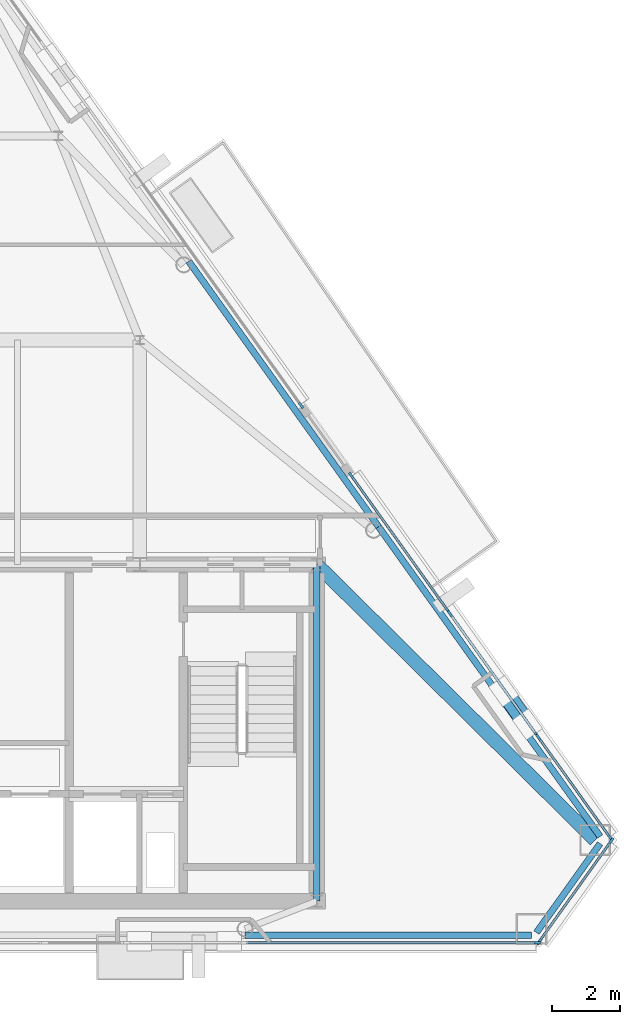
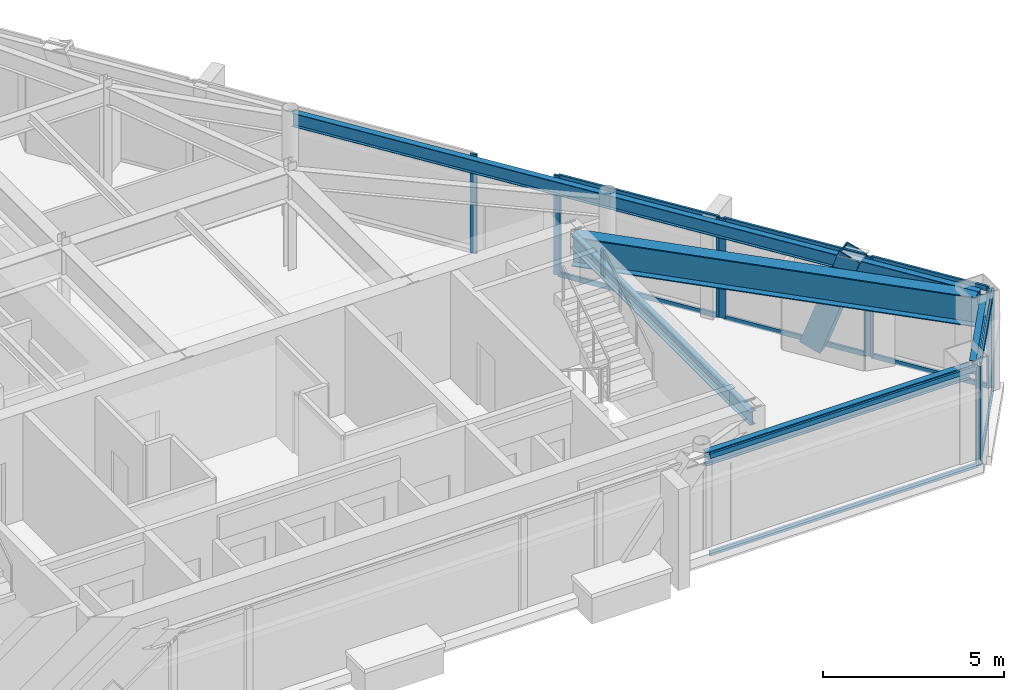
# One storey, part 6 of 12: 21 members, 6 beams, 6 elements without a shape of their own.
"""IFC4 building model written with IfcOpenShell, lengths in metres."""

from ifc_helpers import new_model, si_unit, direction, frame, origin, origin_2d, place, context, subcontext, project, spatial, rectangle, hollow_rectangle, i_section, extrude, material, layer, layer_set, material_profile, profile_set, type_object, element, aggregate, save


model = new_model("IFC4")

# Units and contexts
model_context = context("Model", 3, precision=1e-05, world=origin(), true_north=direction((0.0, 1.0)))
body_context = subcontext(model_context, "Body", "Model", "MODEL_VIEW")
ifc_project = project(units=[si_unit("LENGTHUNIT", "METRE"), si_unit("AREAUNIT", "SQUARE_METRE"), si_unit("VOLUMEUNIT", "CUBIC_METRE"), si_unit("PLANEANGLEUNIT", "RADIAN"), si_unit("MASSUNIT", "GRAM", prefix="KILO")], contexts=[model_context])

# Site, building, storey
site_placement = place(None, origin())
site = spatial("IfcSite", under=ifc_project, at=site_placement, CompositionType="ELEMENT")
building_placement = place(site_placement, origin())
building = spatial("IfcBuilding", under=site, at=building_placement, Name="Talgorran Terracotta Tower", CompositionType="ELEMENT")
storey_placement = place(building_placement, frame((0.0, 0.0, 270.60009765625)))
storey = spatial("IfcBuildingStorey", under=building, at=storey_placement, Name="L71", CompositionType="ELEMENT", Elevation=270.60009765625)

# Beams
ifc_material_1 = material(Name="Steel Grade 350 (350L0)", Category="steel")
ifc_material_profile_1 = material_profile(ifc_material_1, i_section(OverallWidth=0.39990234375, OverallDepth=1.0, WebThickness=0.01611328125, FlangeThickness=0.031005859375, at=origin_2d()), Name="1000WB296")
ifc_profile_set_1 = profile_set([ifc_material_profile_1], Name="Steel Grade 350 (350L0)")
beam_type_1 = type_object("IfcBeamType", Name="BM_1000WB296", PredefinedType="BEAM", material=ifc_profile_set_1)
beam_1_placement = place(storey_placement, frame((12.39990234375, -4.199951171875, 2.844970703125), z_axis=(0.710637755688, -0.703558085868, 0.0), x_axis=(0.703558085868, 0.710637755688, 0.0)))
element("IfcBeam", 1, at=beam_1_placement, inside=storey, type_object=beam_type_1, Name="L71 Floor Girder G18", PredefinedType="BEAM", context=body_context, shape_type="SweptSolid", body=[
    extrude(i_section(OverallWidth=0.39990234375, OverallDepth=1.0, WebThickness=0.01611328125, FlangeThickness=0.031005859375, at=origin_2d()), origin(), (0.0, 0.0, 1.0), 11.517822265625),
])
ifc_material_2 = material(Name="Steel S355 (300PLUS)", Category="steel")
ifc_material_profile_2 = material_profile(ifc_material_2, i_section(OverallWidth=0.18994140625, OverallDepth=0.45703125, WebThickness=0.009033203125, FlangeThickness=0.014404296875, at=origin_2d()), Name="460UB74.6")
ifc_profile_set_2 = profile_set([ifc_material_profile_2], Name="Steel S355 (300PLUS)")
beam_type_2 = type_object("IfcBeamType", Name="BM_SP_460UB74", PredefinedType="SPANDREL", material=ifc_profile_set_2)
beam_2_placement = place(storey_placement, frame((10.29296875, -15.098876953125, 3.116455078125), z_axis=(1.0, 0.0, 0.0), x_axis=(0.0, 1.0, 0.0)))
element("IfcBeam", 2, at=beam_2_placement, inside=storey, type_object=beam_type_2, Name="L71 Perimeter Spandrel Beam FC2-MC3", PredefinedType="SPANDREL", context=body_context, shape_type="SweptSolid", body=[
    extrude(i_section(OverallWidth=0.18994140625, OverallDepth=0.45703125, WebThickness=0.009033203125, FlangeThickness=0.014404296875, at=origin_2d()), origin(), (0.0, 0.0, 1.0), 8.42138671875),
])
beam_3_placement = place(storey_placement, frame((18.860595703125, -15.023681640625, 3.116455078125), z_axis=(0.581733647308, 0.8133793479, 0.0), x_axis=(-0.8133793479, 0.581733647308, 0.0)))
element("IfcBeam", 3, at=beam_3_placement, inside=storey, type_object=beam_type_2, Name="L71 Perimeter Spandrel Beam MC3-MC4", PredefinedType="SPANDREL", context=body_context, shape_type="SweptSolid", body=[
    extrude(i_section(OverallWidth=0.18994140625, OverallDepth=0.45703125, WebThickness=0.009033203125, FlangeThickness=0.014404296875, at=origin_2d()), origin(), (0.0, 0.0, 1.0), 3.215576171875),
])
beam_4_placement = place(storey_placement, frame((20.731201171875, -12.19873046875, 3.116455078125), z_axis=(-0.581724880889, 0.813385617622, 0.0), x_axis=(-0.813385617622, -0.581724880889, 0.0)))
element("IfcBeam", 4, at=beam_4_placement, inside=storey, type_object=beam_type_2, Name="L71 Perimeter Spandrel Beam MC4-FC3", PredefinedType="SPANDREL", context=body_context, shape_type="SweptSolid", body=[
    extrude(i_section(OverallWidth=0.18994140625, OverallDepth=0.45703125, WebThickness=0.009033203125, FlangeThickness=0.014404296875, at=origin_2d()), origin(), (0.0, 0.0, 1.0), 11.1962890625),
])
beam_5_placement = place(storey_placement, frame((14.218017578125, -3.091796875, 3.116455078125), z_axis=(-0.581733798122, 0.813379240037, 0.0), x_axis=(-0.813379240037, -0.581733798122, 0.0)))
element("IfcBeam", 5, at=beam_5_placement, inside=storey, type_object=beam_type_2, Name="L71 Perimeter Spandrel Beam FC3-FC4", PredefinedType="SPANDREL", context=body_context, shape_type="SweptSolid", body=[
    extrude(i_section(OverallWidth=0.18994140625, OverallDepth=0.45703125, WebThickness=0.009033203125, FlangeThickness=0.014404296875, at=origin_2d()), origin(), (0.0, 0.0, 1.0), 9.59716796875),
])
beam_6_placement = place(storey_placement, frame((12.39990234375, -14.10009765625, 3.116455078125), z_axis=(0.0, 1.0, 0.0), x_axis=(-1.0, 0.0, 0.0)))
element("IfcBeam", 6, at=beam_6_placement, inside=storey, type_object=beam_type_2, Name="L71 Core Frame Beam CFE", PredefinedType="SPANDREL", context=body_context, shape_type="SweptSolid", body=[
    extrude(i_section(OverallWidth=0.18994140625, OverallDepth=0.45703125, WebThickness=0.009033203125, FlangeThickness=0.014404296875, at=origin_2d()), origin(), (0.0, 0.0, 1.0), 9.900146484375),
])

# Member
ifc_material_profile_3 = material_profile(ifc_material_1, hollow_rectangle(XDim=0.52001953125, YDim=0.659912109375, WallThickness=0.034912109375, at=origin_2d()), Name="WBOX660X520X35")
ifc_profile_set_3 = profile_set([ifc_material_profile_3], Name="Steel Grade 350 (350L0)")
member_type_1 = type_object("IfcMemberType", Name="MB_MEGA_660", PredefinedType="BRACE", material=ifc_profile_set_3)
member_1_placement = place(storey_placement, frame((17.8955078125, -7.92431640625, -0.025146484375), z_axis=(0.193842884076, -0.271068153387, 0.942839855178), x_axis=(0.813417169156, 0.581680762035, 0.0)))
element("IfcMember", 7, at=member_1_placement, inside=storey, type_object=member_type_1, Name="L71 Exterior Face Mega-Brace MB-3 (NEL)", PredefinedType="BRACE", context=body_context, shape_type="SweptSolid", body=[
    extrude(hollow_rectangle(XDim=0.52001953125, YDim=0.659912109375, WallThickness=0.034912109375, at=origin_2d()), origin(), (0.0, 0.0, 1.0), 3.600830078125),
])

# Curtain wall, member
ifc_material_3 = material(Name="High-Wind Unitised Glazing", Category="glass")
ifc_layer = layer(ifc_material_3, 0.2099609375, Name="CW_SYS3_RES_HIGH")
ifc_layer_set = layer_set([ifc_layer], Name="High-Wind Unitised Glazing")
curtain_wall_type = type_object("IfcCurtainWallType", Name="CW_SYS3_RES_HIGH", PredefinedType="NOTDEFINED", material=ifc_layer_set)
curtain_wall_1_placement = place(storey_placement, origin())
curtain_wall_1 = element("IfcCurtainWall", 8, at=curtain_wall_1_placement, inside=storey, type_object=curtain_wall_type, Name="CW-L71-F1G", PredefinedType="NOTDEFINED")
ifc_material_4 = material(Name="Architectural Aluminium 6063-T6", Category="aluminium")
ifc_material_profile_4 = material_profile(ifc_material_4, rectangle(XDim=0.070068359375, YDim=0.199951171875, at=origin_2d()), Name="CWM70X200")
ifc_profile_set_4 = profile_set([ifc_material_profile_4], Name="Architectural Aluminium 6063-T6")
member_type_2 = type_object("IfcMemberType", Name="MUL_70X200", PredefinedType="MULLION", material=ifc_profile_set_4)
member_2_placement = place(storey_placement, frame((18.885009765625, -15.31884765625, 0.0), z_axis=(0.0, 0.0, 1.0), x_axis=(0.0, 1.0, 0.0)))
member_2 = element("IfcMember", 9, at=member_2_placement, type_object=member_type_2, Name="CW-L71-1G mullion 2", PredefinedType="MULLION", context=body_context, shape_type="SweptSolid", body=[
    extrude(rectangle(XDim=0.070068359375, YDim=0.199951171875, at=origin_2d()), origin(), (0.0, 0.0, 1.0), 3.344970703125),
])

# Curtain wall, members
curtain_wall_2_placement = place(storey_placement, origin())
curtain_wall_2 = element("IfcCurtainWall", 10, at=curtain_wall_2_placement, inside=storey, type_object=curtain_wall_type, Name="CW-L71-F2", PredefinedType="NOTDEFINED")
member_3_placement = place(storey_placement, frame((18.9404296875, -15.29052734375, 0.0), z_axis=(0.0, 0.0, 1.0), x_axis=(-0.813370623345, 0.581745845777, 0.0)))
member_3 = element("IfcMember", 11, at=member_3_placement, type_object=member_type_2, Name="CW-L71-2 mullion 1", PredefinedType="MULLION", context=body_context, shape_type="SweptSolid", body=[
    extrude(rectangle(XDim=0.070068359375, YDim=0.199951171875, at=origin_2d()), origin(), (0.0, 0.0, 1.0), 3.344970703125),
])
member_4_placement = place(storey_placement, frame((21.056396484375, -12.33203125, 0.0), z_axis=(0.0, 0.0, 1.0), x_axis=(-0.813370623345, 0.581745845777, 0.0)))
member_4 = element("IfcMember", 12, at=member_4_placement, type_object=member_type_2, Name="CW-L71-2 mullion 2", PredefinedType="MULLION", context=body_context, shape_type="SweptSolid", body=[
    extrude(rectangle(XDim=0.070068359375, YDim=0.199951171875, at=origin_2d()), origin(), (0.0, 0.0, 1.0), 3.344970703125),
])

curtain_wall_3_placement = place(storey_placement, origin())
curtain_wall_3 = element("IfcCurtainWall", 13, at=curtain_wall_3_placement, inside=storey, type_object=curtain_wall_type, Name="CW-L71-F40", PredefinedType="NOTDEFINED")
member_5_placement = place(storey_placement, frame((21.032958984375, -12.242431640625, 0.0), z_axis=(0.0, 0.0, 1.0), x_axis=(-0.813383305425, -0.581728113861, 0.0)))
member_5 = element("IfcMember", 14, at=member_5_placement, type_object=member_type_2, Name="CW-L71-40 mullion 1", PredefinedType="MULLION", context=body_context, shape_type="SweptSolid", body=[
    extrude(rectangle(XDim=0.070068359375, YDim=0.199951171875, at=origin_2d()), origin(), (0.0, 0.0, 1.0), 3.344970703125),
])
member_6_placement = place(storey_placement, frame((18.917724609375, -9.28466796875, 0.0), z_axis=(0.0, 0.0, 1.0), x_axis=(-0.813383305425, -0.581728113861, 0.0)))
member_6 = element("IfcMember", 15, at=member_6_placement, type_object=member_type_2, Name="CW-L71-40 mullion 2", PredefinedType="MULLION", context=body_context, shape_type="SweptSolid", body=[
    extrude(rectangle(XDim=0.070068359375, YDim=0.199951171875, at=origin_2d()), origin(), (0.0, 0.0, 1.0), 3.344970703125),
])

curtain_wall_4_placement = place(storey_placement, origin())
curtain_wall_4 = element("IfcCurtainWall", 16, at=curtain_wall_4_placement, inside=storey, type_object=curtain_wall_type, Name="CW-L71-F40B", PredefinedType="NOTDEFINED")
member_7_placement = place(storey_placement, frame((18.87109375, -9.2197265625, 0.0), z_axis=(0.0, 0.0, 1.0), x_axis=(-0.813387770934, -0.58172187005, 0.0)))
member_7 = element("IfcMember", 17, at=member_7_placement, type_object=member_type_2, Name="CW-L71-40B mullion 1", PredefinedType="MULLION", context=body_context, shape_type="SweptSolid", body=[
    extrude(rectangle(XDim=0.070068359375, YDim=0.199951171875, at=origin_2d()), origin(), (0.0, 0.0, 1.0), 3.344970703125),
])
member_8_placement = place(storey_placement, frame((16.318359375, -5.650390625, 0.0), z_axis=(0.0, 0.0, 1.0), x_axis=(-0.813387770934, -0.58172187005, 0.0)))
member_8 = element("IfcMember", 18, at=member_8_placement, type_object=member_type_2, Name="CW-L71-40B mullion 2", PredefinedType="MULLION", context=body_context, shape_type="SweptSolid", body=[
    extrude(rectangle(XDim=0.070068359375, YDim=0.199951171875, at=origin_2d()), origin(), (0.0, 0.0, 1.0), 3.344970703125),
])

curtain_wall_5_placement = place(storey_placement, origin())
curtain_wall_5 = element("IfcCurtainWall", 19, at=curtain_wall_5_placement, inside=storey, type_object=curtain_wall_type, Name="CW-L71-F40C", PredefinedType="NOTDEFINED")
member_9_placement = place(storey_placement, frame((16.27197265625, -5.58544921875, 0.0), z_axis=(0.0, 0.0, 1.0), x_axis=(-0.813378585865, -0.581734712783, 0.0)))
member_9 = element("IfcMember", 20, at=member_9_placement, type_object=member_type_2, Name="CW-L71-40C mullion 1", PredefinedType="MULLION", context=body_context, shape_type="SweptSolid", body=[
    extrude(rectangle(XDim=0.070068359375, YDim=0.199951171875, at=origin_2d()), origin(), (0.0, 0.0, 1.0), 3.344970703125),
])
member_10_placement = place(storey_placement, frame((13.40966796875, -1.583251953125, 0.0), z_axis=(0.0, 0.0, 1.0), x_axis=(-0.813378585865, -0.581734712783, 0.0)))
member_10 = element("IfcMember", 21, at=member_10_placement, type_object=member_type_2, Name="CW-L71-40C mullion 2", PredefinedType="MULLION", context=body_context, shape_type="SweptSolid", body=[
    extrude(rectangle(XDim=0.070068359375, YDim=0.199951171875, at=origin_2d()), origin(), (0.0, 0.0, 1.0), 3.344970703125),
])

# Curtain wall, member
curtain_wall_6_placement = place(storey_placement, origin())
curtain_wall_6 = element("IfcCurtainWall", 22, at=curtain_wall_6_placement, inside=storey, type_object=curtain_wall_type, Name="CW-L71-F41", PredefinedType="NOTDEFINED")
member_11_placement = place(storey_placement, frame((11.937744140625, 0.474609375, 0.0), z_axis=(0.0, 0.0, 1.0), x_axis=(-0.813381757068, -0.581730278797, 0.0)))
member_11 = element("IfcMember", 23, at=member_11_placement, type_object=member_type_2, Name="CW-L71-41 mullion 1", PredefinedType="MULLION", context=body_context, shape_type="SweptSolid", body=[
    extrude(rectangle(XDim=0.070068359375, YDim=0.199951171875, at=origin_2d()), origin(), (0.0, 0.0, 1.0), 3.344970703125),
])
aggregate(curtain_wall_6, [member_11])

# Member
ifc_material_profile_5 = material_profile(ifc_material_4, rectangle(XDim=0.070068359375, YDim=0.159912109375, at=origin_2d()), Name="CWT70X160")
ifc_profile_set_5 = profile_set([ifc_material_profile_5], Name="Architectural Aluminium 6063-T6")
member_type_3 = type_object("IfcMemberType", Name="TRN_70X160", PredefinedType="USERDEFINED", material=ifc_profile_set_5)
member_12_placement = place(storey_placement, frame((10.31298828125, -15.31884765625, 0.034912109375), z_axis=(1.0, 0.0, 0.0), x_axis=(0.0, 1.0, 0.0)))
member_12 = element("IfcMember", 24, at=member_12_placement, type_object=member_type_3, Name="CW-L71-1G transom 1.1", ObjectType="TRANSOM", PredefinedType="USERDEFINED", context=body_context, shape_type="SweptSolid", body=[
    extrude(rectangle(XDim=0.070068359375, YDim=0.159912109375, at=origin_2d()), origin(), (0.0, 0.0, 1.0), 8.537109375),
])

member_13_placement = place(storey_placement, frame((10.31298828125, -15.31884765625, 3.309814453125), z_axis=(1.0, 0.0, 0.0), x_axis=(0.0, 1.0, 0.0)))
member_13 = element("IfcMember", 25, at=member_13_placement, type_object=member_type_3, Name="CW-L71-1G transom 1.2", ObjectType="TRANSOM", PredefinedType="USERDEFINED", context=body_context, shape_type="SweptSolid", body=[
    extrude(rectangle(XDim=0.070068359375, YDim=0.159912109375, at=origin_2d()), origin(), (0.0, 0.0, 1.0), 8.537109375),
])

aggregate(curtain_wall_1, [member_2, member_12, member_13])

member_14_placement = place(storey_placement, frame((18.960693359375, -15.261962890625, 0.034912109375), z_axis=(0.581723630641, 0.813386511785, 0.0), x_axis=(-0.813386511785, 0.581723630641, 0.0)))
member_14 = element("IfcMember", 26, at=member_14_placement, type_object=member_type_3, Name="CW-L71-2 transom 1.1", ObjectType="TRANSOM", PredefinedType="USERDEFINED", context=body_context, shape_type="SweptSolid", body=[
    extrude(rectangle(XDim=0.070068359375, YDim=0.159912109375, at=origin_2d()), origin(), (0.0, 0.0, 1.0), 3.5673828125),
])

member_15_placement = place(storey_placement, frame((18.960693359375, -15.261962890625, 3.309814453125), z_axis=(0.581723630641, 0.813386511785, 0.0), x_axis=(-0.813386511785, 0.581723630641, 0.0)))
member_15 = element("IfcMember", 27, at=member_15_placement, type_object=member_type_3, Name="CW-L71-2 transom 1.2", ObjectType="TRANSOM", PredefinedType="USERDEFINED", context=body_context, shape_type="SweptSolid", body=[
    extrude(rectangle(XDim=0.070068359375, YDim=0.159912109375, at=origin_2d()), origin(), (0.0, 0.0, 1.0), 3.5673828125),
])

aggregate(curtain_wall_2, [member_3, member_4, member_14, member_15])

member_16_placement = place(storey_placement, frame((21.0126953125, -12.214111328125, 0.034912109375), z_axis=(-0.581730223056, 0.813381796934, 0.0), x_axis=(-0.813381796934, -0.581730223056, 0.0)))
member_16 = element("IfcMember", 28, at=member_16_placement, type_object=member_type_3, Name="CW-L71-40 transom 1.1", ObjectType="TRANSOM", PredefinedType="USERDEFINED", context=body_context, shape_type="SweptSolid", body=[
    extrude(rectangle(XDim=0.070068359375, YDim=0.159912109375, at=origin_2d()), origin(), (0.0, 0.0, 1.0), 3.56640625),
])

member_17_placement = place(storey_placement, frame((21.0126953125, -12.214111328125, 3.309814453125), z_axis=(-0.581730223056, 0.813381796934, 0.0), x_axis=(-0.813381796934, -0.581730223056, 0.0)))
member_17 = element("IfcMember", 29, at=member_17_placement, type_object=member_type_3, Name="CW-L71-40 transom 1.2", ObjectType="TRANSOM", PredefinedType="USERDEFINED", context=body_context, shape_type="SweptSolid", body=[
    extrude(rectangle(XDim=0.070068359375, YDim=0.159912109375, at=origin_2d()), origin(), (0.0, 0.0, 1.0), 3.56640625),
])

aggregate(curtain_wall_3, [member_5, member_6, member_16, member_17])

member_18_placement = place(storey_placement, frame((18.850830078125, -9.191162109375, 0.034912109375), z_axis=(-0.581735480409, 0.813378036852, 0.0), x_axis=(-0.813378036852, -0.581735480409, 0.0)))
member_18 = element("IfcMember", 30, at=member_18_placement, type_object=member_type_3, Name="CW-L71-40B transom 1.1", ObjectType="TRANSOM", PredefinedType="USERDEFINED", context=body_context, shape_type="SweptSolid", body=[
    extrude(rectangle(XDim=0.070068359375, YDim=0.159912109375, at=origin_2d()), origin(), (0.0, 0.0, 1.0), 4.318115234375),
])

member_19_placement = place(storey_placement, frame((18.850830078125, -9.191162109375, 3.309814453125), z_axis=(-0.581735480409, 0.813378036852, 0.0), x_axis=(-0.813378036852, -0.581735480409, 0.0)))
member_19 = element("IfcMember", 31, at=member_19_placement, type_object=member_type_3, Name="CW-L71-40B transom 1.2", ObjectType="TRANSOM", PredefinedType="USERDEFINED", context=body_context, shape_type="SweptSolid", body=[
    extrude(rectangle(XDim=0.070068359375, YDim=0.159912109375, at=origin_2d()), origin(), (0.0, 0.0, 1.0), 4.318115234375),
])

aggregate(curtain_wall_4, [member_7, member_8, member_18, member_19])

member_20_placement = place(storey_placement, frame((16.25146484375, -5.556884765625, 0.034912109375), z_axis=(-0.581733283611, 0.813379608018, 0.0), x_axis=(-0.813379608018, -0.581733283611, 0.0)))
member_20 = element("IfcMember", 32, at=member_20_placement, type_object=member_type_3, Name="CW-L71-40C transom 1.1", ObjectType="TRANSOM", PredefinedType="USERDEFINED", context=body_context, shape_type="SweptSolid", body=[
    extrude(rectangle(XDim=0.070068359375, YDim=0.159912109375, at=origin_2d()), origin(), (0.0, 0.0, 1.0), 4.85009765625),
])

member_21_placement = place(storey_placement, frame((16.25146484375, -5.556884765625, 3.309814453125), z_axis=(-0.581733283611, 0.813379608018, 0.0), x_axis=(-0.813379608018, -0.581733283611, 0.0)))
member_21 = element("IfcMember", 33, at=member_21_placement, type_object=member_type_3, Name="CW-L71-40C transom 1.2", ObjectType="TRANSOM", PredefinedType="USERDEFINED", context=body_context, shape_type="SweptSolid", body=[
    extrude(rectangle(XDim=0.070068359375, YDim=0.159912109375, at=origin_2d()), origin(), (0.0, 0.0, 1.0), 4.85009765625),
])

aggregate(curtain_wall_5, [member_9, member_10, member_20, member_21])

save(model, "model.ifc")
